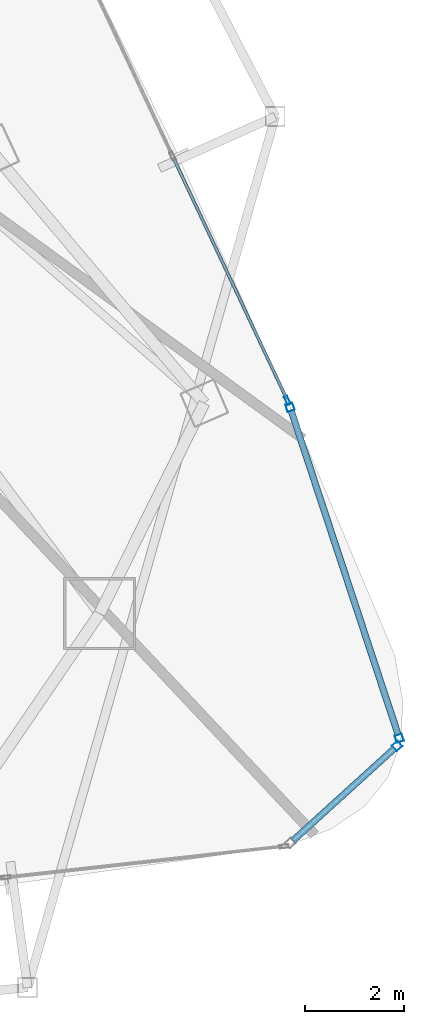
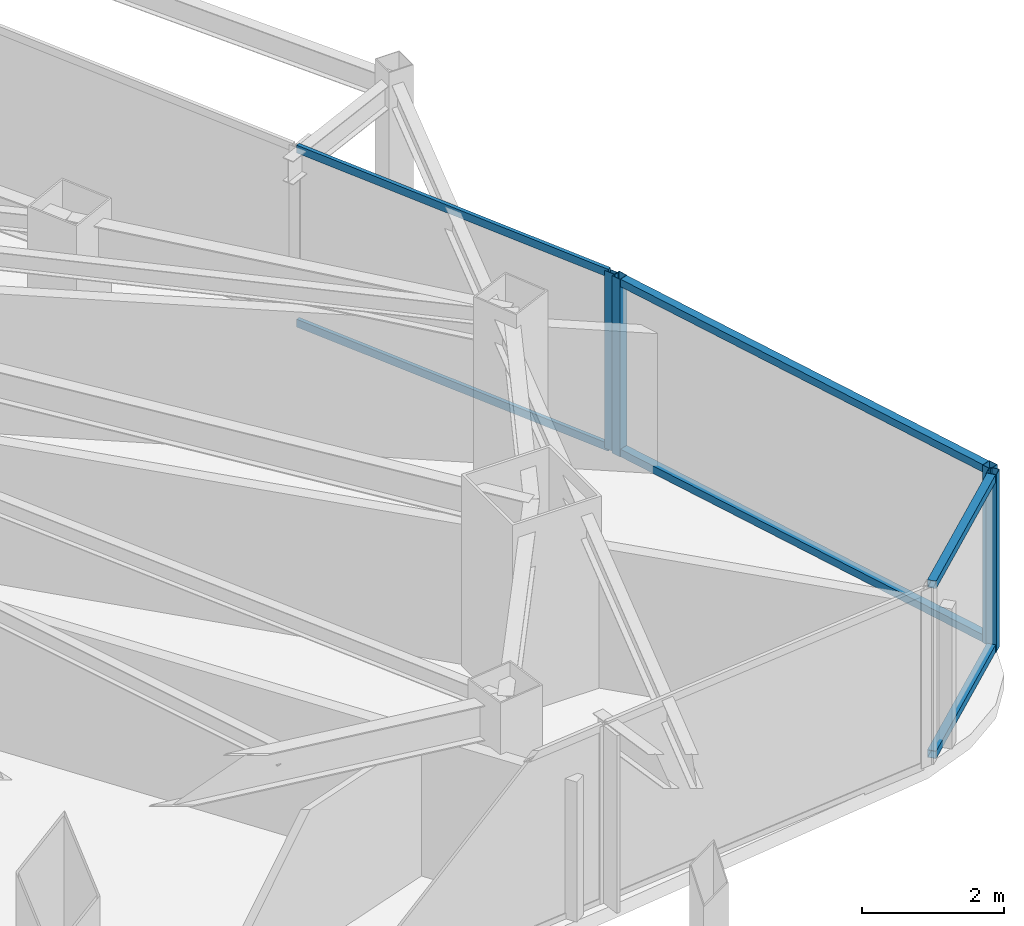
# One storey, part 14 of 29: 10 members, 3 elements without a shape of their own.
"""IFC4 building model written with IfcOpenShell, lengths in metres."""

from ifc_helpers import new_model, si_unit, direction, frame, origin, origin_2d, place, context, subcontext, project, spatial, hollow_rectangle, extrude, material, layer, layer_set, material_profile, profile_set, type_object, element, aggregate, save


model = new_model("IFC4")

# Units and contexts
model_context = context("Model", 3, precision=1e-05, world=origin(), true_north=direction((0.0, 1.0)))
body_context = subcontext(model_context, "Body", "Model", "MODEL_VIEW")
ifc_project = project(units=[si_unit("LENGTHUNIT", "METRE"), si_unit("AREAUNIT", "SQUARE_METRE"), si_unit("VOLUMEUNIT", "CUBIC_METRE"), si_unit("PLANEANGLEUNIT", "RADIAN"), si_unit("MASSUNIT", "GRAM", prefix="KILO")], contexts=[model_context])

# Site, building, storey
site_placement = place(None, origin())
site = spatial("IfcSite", under=ifc_project, at=site_placement, CompositionType="ELEMENT")
building_placement = place(site_placement, origin())
building = spatial("IfcBuilding", under=site, at=building_placement, Name="Orvanel Arch Residences", CompositionType="ELEMENT")
storey_placement = place(building_placement, frame((0.0, 0.0, 160.550048828125)))
storey = spatial("IfcBuildingStorey", under=building, at=storey_placement, Name="L45", CompositionType="ELEMENT", Elevation=160.550048828125)

# Curtain wall, member
ifc_material = material(Name="Bronze-anodised aluminium AA6063-T6", Category="aluminium")
ifc_layer_1 = layer(ifc_material, 0.18994140625)
ifc_layer_set_1 = layer_set([ifc_layer_1], Name="Bronze-anodised aluminium AA6063-T6")
curtain_wall_type_1 = type_object("IfcCurtainWallType", Name="CW5-CRN-SYS", PredefinedType="NOTDEFINED", material=ifc_layer_set_1)
curtain_wall_1_placement = place(storey_placement, origin())
curtain_wall_1 = element("IfcCurtainWall", 1, at=curtain_wall_1_placement, inside=storey, type_object=curtain_wall_type_1, Name="L45 CW5-CRN-SYS Unitised Curtain Wall", PredefinedType="NOTDEFINED")
ifc_material_profile_1 = material_profile(ifc_material, hollow_rectangle(XDim=0.14990234375, YDim=0.14990234375, WallThickness=0.0048828125, at=origin_2d()), Name="ALU150x150x5")
ifc_profile_set_1 = profile_set([ifc_material_profile_1], Name="Bronze-anodised aluminium AA6063-T6")
member_type_1 = type_object("IfcMemberType", Name="MUL-150x150", PredefinedType="MULLION", material=ifc_profile_set_1)
member_1_placement = place(storey_placement, frame((57.784423828125, 7.691650390625, 0.0), z_axis=(0.0, 0.0, 1.0), x_axis=(-0.672395615727, 0.740191958853, 0.0)))
member_1 = element("IfcMember", 2, at=member_1_placement, type_object=member_type_1, Name="CW-S5 mullion 2", PredefinedType="MULLION", context=body_context, shape_type="SweptSolid", body=[
    extrude(hollow_rectangle(XDim=0.14990234375, YDim=0.14990234375, WallThickness=0.0048828125, at=origin_2d()), origin(), (0.0, 0.0, 1.0), 3.06005859375),
])

# Curtain wall, members
curtain_wall_2_placement = place(storey_placement, origin())
curtain_wall_2 = element("IfcCurtainWall", 3, at=curtain_wall_2_placement, inside=storey, type_object=curtain_wall_type_1, Name="L45 CW5-CRN-SYS Unitised Curtain Wall", PredefinedType="NOTDEFINED")
member_2_placement = place(storey_placement, frame((57.825439453125, 7.84521484375, 0.0), z_axis=(0.0, 0.0, 1.0), x_axis=(-0.949629481018, -0.313374933239, 0.0)))
member_2 = element("IfcMember", 4, at=member_2_placement, type_object=member_type_1, Name="CW-S5 mullion 1", PredefinedType="MULLION", context=body_context, shape_type="SweptSolid", body=[
    extrude(hollow_rectangle(XDim=0.14990234375, YDim=0.14990234375, WallThickness=0.0048828125, at=origin_2d()), origin(), (0.0, 0.0, 1.0), 3.06005859375),
])
member_3_placement = place(storey_placement, frame((55.630615234375, 14.496826171875, 0.0), z_axis=(0.0, 0.0, 1.0), x_axis=(-0.949629481018, -0.313374933239, 0.0)))
member_3 = element("IfcMember", 5, at=member_3_placement, type_object=member_type_1, Name="CW-S5 mullion 2", PredefinedType="MULLION", context=body_context, shape_type="SweptSolid", body=[
    extrude(hollow_rectangle(XDim=0.14990234375, YDim=0.14990234375, WallThickness=0.0048828125, at=origin_2d()), origin(), (0.0, 0.0, 1.0), 3.06005859375),
])

# Curtain wall, member
ifc_layer_2 = layer(ifc_material, 0.179931640625)
ifc_layer_set_2 = layer_set([ifc_layer_2], Name="Bronze-anodised aluminium AA6063-T6")
curtain_wall_type_2 = type_object("IfcCurtainWallType", Name="CW3-MID-SYS", PredefinedType="NOTDEFINED", material=ifc_layer_set_2)
curtain_wall_3_placement = place(storey_placement, origin())
curtain_wall_3 = element("IfcCurtainWall", 6, at=curtain_wall_3_placement, inside=storey, type_object=curtain_wall_type_2, Name="L45 CW3-MID-SYS Unitised Curtain Wall", PredefinedType="NOTDEFINED")
ifc_material_profile_2 = material_profile(ifc_material, hollow_rectangle(XDim=0.070068359375, YDim=0.179931640625, WallThickness=0.00439453125, at=origin_2d()), Name="ALU180x70x4.5")
ifc_profile_set_2 = profile_set([ifc_material_profile_2], Name="Bronze-anodised aluminium AA6063-T6")
member_type_2 = type_object("IfcMemberType", Name="MUL-180x70", PredefinedType="MULLION", material=ifc_profile_set_2)
member_4_placement = place(storey_placement, frame((55.5771484375, 14.63671875, 0.0), z_axis=(0.0, 0.0, 1.0), x_axis=(-0.904972224309, -0.42547064908, 0.0)))
member_4 = element("IfcMember", 7, at=member_4_placement, type_object=member_type_2, Name="CW-S3 mullion 1", PredefinedType="MULLION", context=body_context, shape_type="SweptSolid", body=[
    extrude(hollow_rectangle(XDim=0.070068359375, YDim=0.179931640625, WallThickness=0.00439453125, at=origin_2d()), origin(), (0.0, 0.0, 1.0), 3.06005859375),
])

# Member
ifc_material_profile_3 = material_profile(ifc_material, hollow_rectangle(XDim=0.1298828125, YDim=0.1298828125, WallThickness=0.00439453125, at=origin_2d()), Name="ALU130x130x4.5")
ifc_profile_set_3 = profile_set([ifc_material_profile_3], Name="Bronze-anodised aluminium AA6063-T6")
member_type_3 = type_object("IfcMemberType", Name="TRN-130x130", PredefinedType="USERDEFINED", material=ifc_profile_set_3)
member_5_placement = place(storey_placement, frame((55.69091796875, 5.789794921875, 0.06494140625), z_axis=(0.740208829839, 0.672377043204, 0.0), x_axis=(-0.672377043204, 0.740208829839, 0.0)))
member_5 = element("IfcMember", 8, at=member_5_placement, type_object=member_type_3, Name="CW-S5 transom 1.1", ObjectType="TRANSOM", PredefinedType="USERDEFINED", context=body_context, shape_type="SweptSolid", body=[
    extrude(hollow_rectangle(XDim=0.1298828125, YDim=0.1298828125, WallThickness=0.00439453125, at=origin_2d()), origin(), (0.0, 0.0, 1.0), 2.75341796875),
])

member_6_placement = place(storey_placement, frame((55.69091796875, 5.789794921875, 2.994873046875), z_axis=(0.740208829839, 0.672377043204, 0.0), x_axis=(-0.672377043204, 0.740208829839, 0.0)))
member_6 = element("IfcMember", 9, at=member_6_placement, type_object=member_type_3, Name="CW-S5 transom 1.2", ObjectType="TRANSOM", PredefinedType="USERDEFINED", context=body_context, shape_type="SweptSolid", body=[
    extrude(hollow_rectangle(XDim=0.1298828125, YDim=0.1298828125, WallThickness=0.00439453125, at=origin_2d()), origin(), (0.0, 0.0, 1.0), 2.75341796875),
])

aggregate(curtain_wall_1, [member_1, member_5, member_6])

member_7_placement = place(storey_placement, frame((57.802001953125, 7.91650390625, 0.06494140625), z_axis=(-0.313373278504, 0.949630027074, 0.0), x_axis=(-0.949630027074, -0.313373278504, 0.0)))
member_7 = element("IfcMember", 10, at=member_7_placement, type_object=member_type_3, Name="CW-S5 transom 1.1", ObjectType="TRANSOM", PredefinedType="USERDEFINED", context=body_context, shape_type="SweptSolid", body=[
    extrude(hollow_rectangle(XDim=0.1298828125, YDim=0.1298828125, WallThickness=0.00439453125, at=origin_2d()), origin(), (0.0, 0.0, 1.0), 6.854248046875),
])

member_8_placement = place(storey_placement, frame((57.802001953125, 7.91650390625, 2.994873046875), z_axis=(-0.313373278504, 0.949630027074, 0.0), x_axis=(-0.949630027074, -0.313373278504, 0.0)))
member_8 = element("IfcMember", 11, at=member_8_placement, type_object=member_type_3, Name="CW-S5 transom 1.2", ObjectType="TRANSOM", PredefinedType="USERDEFINED", context=body_context, shape_type="SweptSolid", body=[
    extrude(hollow_rectangle(XDim=0.1298828125, YDim=0.1298828125, WallThickness=0.00439453125, at=origin_2d()), origin(), (0.0, 0.0, 1.0), 6.854248046875),
])

aggregate(curtain_wall_2, [member_2, member_3, member_7, member_8])

ifc_material_profile_4 = material_profile(ifc_material, hollow_rectangle(XDim=0.06005859375, YDim=0.135009765625, WallThickness=0.00390625, at=origin_2d()), Name="ALU135x60x4")
ifc_profile_set_4 = profile_set([ifc_material_profile_4], Name="Bronze-anodised aluminium AA6063-T6")
member_type_4 = type_object("IfcMemberType", Name="TRN-135x60", PredefinedType="USERDEFINED", material=ifc_profile_set_4)
member_9_placement = place(storey_placement, frame((55.562255859375, 14.66845703125, 0.030029296875), z_axis=(-0.425472047127, 0.904971567019, 0.0), x_axis=(-0.904971567019, -0.425472047127, 0.0)))
member_9 = element("IfcMember", 12, at=member_9_placement, type_object=member_type_4, Name="CW-S3 transom 1.1", ObjectType="TRANSOM", PredefinedType="USERDEFINED", context=body_context, shape_type="SweptSolid", body=[
    extrude(hollow_rectangle(XDim=0.06005859375, YDim=0.135009765625, WallThickness=0.00390625, at=origin_2d()), origin(), (0.0, 0.0, 1.0), 5.354736328125),
])

member_10_placement = place(storey_placement, frame((55.562255859375, 14.66845703125, 3.030029296875), z_axis=(-0.425472047127, 0.904971567019, 0.0), x_axis=(-0.904971567019, -0.425472047127, 0.0)))
member_10 = element("IfcMember", 13, at=member_10_placement, type_object=member_type_4, Name="CW-S3 transom 1.2", ObjectType="TRANSOM", PredefinedType="USERDEFINED", context=body_context, shape_type="SweptSolid", body=[
    extrude(hollow_rectangle(XDim=0.06005859375, YDim=0.135009765625, WallThickness=0.00390625, at=origin_2d()), origin(), (0.0, 0.0, 1.0), 5.354736328125),
])

aggregate(curtain_wall_3, [member_4, member_9, member_10])

save(model, "model.ifc")
